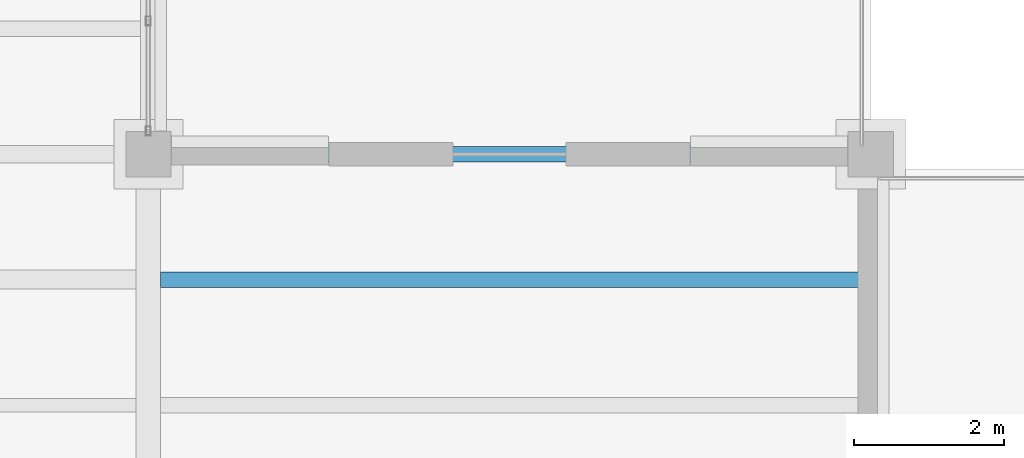
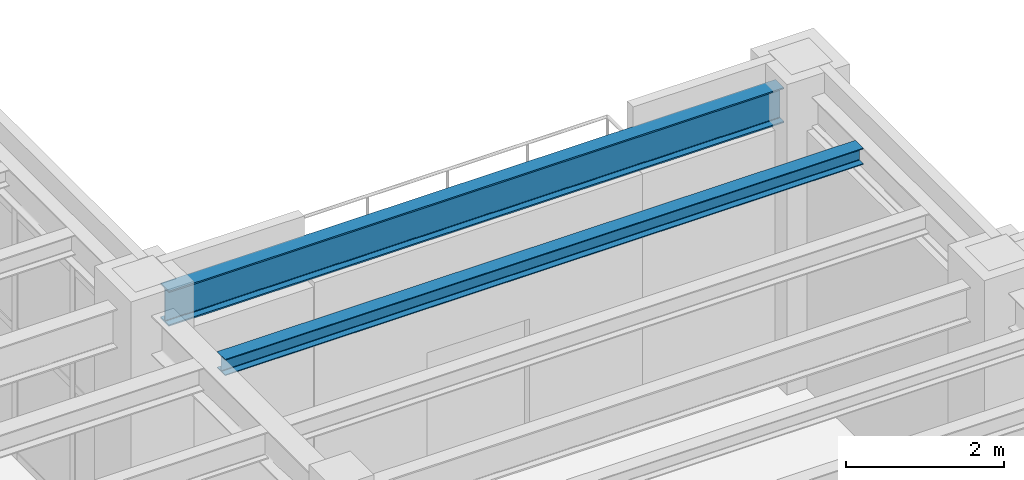
# One storey, part 46 of 83: 2 beams.
"""IFC4 building model written with IfcOpenShell, lengths in metres."""

import ifcopenshell
import ifcopenshell.guid

model = None  # the IFC model being written
_history = None  # IfcOwnerHistory: only IFC2X3 demands one
_inside = {}  # id of a spatial element -> (the spatial element, [elements in it])
_under = {}  # id of a project, library or spatial element -> (it, [spatial elements below it])
_declared = {}  # id of a project -> (the project, [libraries it declares])
_typed = {}  # id of a type object -> (the type object, [elements of that type])
_made_of = {}  # id of a material, layer set ... -> (it, [elements and type objects made of it])


def new_model(schema):
    """Start an empty IFC model of exactly this schema.

    Asked for "IFC4X3", IfcOpenShell would pick the latest addendum, in which some entities
    have other attributes; the version numbers below select the first issue.
    IFC2X3 requires an IfcOwnerHistory on every rooted entity: one is made here for all.
    """
    global model, _history
    if schema == "IFC4X3":
        model = ifcopenshell.file(schema_version=(4, 3, 0, 0))
    else:
        model = ifcopenshell.file(schema=schema)
    _inside.clear()
    _under.clear()
    _declared.clear()
    _typed.clear()
    _made_of.clear()
    _history = None
    if model.schema == "IFC2X3":
        org = make("IfcOrganization", Name="unknown")
        user = make(
            "IfcPersonAndOrganization",
            ThePerson=make("IfcPerson", FamilyName="unknown"),
            TheOrganization=org,
        )
        app = make(
            "IfcApplication",
            ApplicationDeveloper=org,
            Version="unknown",
            ApplicationFullName="unknown",
            ApplicationIdentifier="unknown",
        )
        _history = make(
            "IfcOwnerHistory",
            OwningUser=user,
            OwningApplication=app,
            ChangeAction="ADDED",
            CreationDate=0,
        )
    return model


def make(cls, **values):
    """One entity of the class cls with the attributes given. An attribute that is None is left unset."""
    return model.create_entity(
        cls, **{name: value for name, value in values.items() if value is not None}
    )


def rooted(cls, **values):
    """An entity with a GlobalId (a new one), such as an element, a storey or a relation."""
    return make(cls, GlobalId=ifcopenshell.guid.new(), OwnerHistory=_history, **values)


def si_unit(unit_type, name, prefix=None):
    """IfcSIUnit, for example si_unit("LENGTHUNIT", "METRE", prefix="MILLI")."""
    return make("IfcSIUnit", UnitType=unit_type, Prefix=prefix, Name=name)


def assignment(units):
    """IfcUnitAssignment: the units of a project."""
    return None if units is None else make("IfcUnitAssignment", Units=units)


def point(xyz):
    """IfcCartesianPoint."""
    return None if xyz is None else make("IfcCartesianPoint", Coordinates=xyz)


def direction(xyz):
    """IfcDirection."""
    return None if xyz is None else make("IfcDirection", DirectionRatios=xyz)


def frame(location, z_axis=None, x_axis=None):
    """IfcAxis2Placement3D, a coordinate frame: its origin and axes. An axis left out is left unset."""
    return make(
        "IfcAxis2Placement3D",
        Location=point(location),
        Axis=direction(z_axis),
        RefDirection=direction(x_axis),
    )


def frame_2d(location, x_axis=None):
    """IfcAxis2Placement2D, a coordinate frame in the plane: its origin and x axis."""
    return make(
        "IfcAxis2Placement2D", Location=point(location), RefDirection=direction(x_axis)
    )


def origin():
    """The frame at (0, 0, 0) with its axes left unset."""
    return frame((0.0, 0.0, 0.0))


def origin_2d():
    """The frame at (0, 0) in the plane with its x axis left unset."""
    return frame_2d((0.0, 0.0))


def place(relative_to, where):
    """IfcLocalPlacement: puts the frame where relative to a parent placement (None: the world)."""
    return make(
        "IfcLocalPlacement", PlacementRelTo=relative_to, RelativePlacement=where
    )


def context(
    kind, dimensions, precision=None, world=None, true_north=None, identifier=None
):
    """IfcGeometricRepresentationContext, for example the 3D "Model" context."""
    return make(
        "IfcGeometricRepresentationContext",
        ContextIdentifier=identifier,
        ContextType=kind,
        CoordinateSpaceDimension=dimensions,
        Precision=precision,
        WorldCoordinateSystem=world,
        TrueNorth=true_north,
    )


def subcontext(parent, identifier, kind, view, scale=None):
    """IfcGeometricRepresentationSubContext, for example "Body" below "Model"."""
    return make(
        "IfcGeometricRepresentationSubContext",
        ContextIdentifier=identifier,
        ContextType=kind,
        ParentContext=parent,
        TargetScale=scale,
        TargetView=view,
    )


def project(units=None, contexts=None):
    """IfcProject with its units and contexts."""
    return rooted(
        "IfcProject",
        Name="project",
        RepresentationContexts=contexts,
        UnitsInContext=assignment(units),
    )


def spatial(cls, under=None, at=None, **own):
    """A site, building, storey or space (cls), placed at a placement, below another one or the project."""
    s = rooted(cls, ObjectPlacement=at, **own)
    if under is not None:
        _under.setdefault(under.id(), (under, []))[1].append(s)
    return s


def profile(cls, at=None, kind="AREA", **sizes):
    """A parametric profile (cls). Its sizes go by their IFC names, for example OverallWidth=200.0."""
    return make(cls, ProfileType=kind, Position=at, **sizes)


def i_section(**sizes):
    """IfcIShapeProfileDef."""
    return profile("IfcIShapeProfileDef", **sizes)


def extrude(swept, where, along, depth):
    """IfcExtrudedAreaSolid: the profile swept, set in the frame where, extruded along a direction by depth."""
    return make(
        "IfcExtrudedAreaSolid",
        SweptArea=swept,
        Position=where,
        ExtrudedDirection=direction(along),
        Depth=depth,
    )


def shape(context_of_items, identifier, shape_type, items):
    """IfcShapeRepresentation: the items that make up one representation, for example the "Body"."""
    return make(
        "IfcShapeRepresentation",
        ContextOfItems=context_of_items,
        RepresentationIdentifier=identifier,
        RepresentationType=shape_type,
        Items=items,
    )


def material(Name=None, Category=None):
    """IfcMaterial."""
    return make("IfcMaterial", Name=Name, Category=Category)


def material_profile(
    of_material, cross_section, Name=None, Category=None, Priority=None
):
    """IfcMaterialProfile: a cross section and its material."""
    return make(
        "IfcMaterialProfile",
        Name=Name,
        Material=of_material,
        Profile=cross_section,
        Priority=Priority,
        Category=Category,
    )


def profile_set(profiles, Name=None, composite=None):
    """IfcMaterialProfileSet."""
    return make(
        "IfcMaterialProfileSet",
        Name=Name,
        MaterialProfiles=profiles,
        CompositeProfile=composite,
    )


def made_of(thing, what):
    """Note that an element or type object is made of a material, layer set ...; save() writes the relation."""
    if what is not None:
        _made_of.setdefault(what.id(), (what, []))[1].append(thing)
    return thing


def type_object(cls, material=None, **own):
    """A type object (cls), such as IfcWallType, which elements share."""
    return made_of(rooted(cls, **own), material)


def element(
    cls,
    number,
    at=None,
    inside=None,
    cuts=None,
    type_object=None,
    material=None,
    context=None,
    identifier="Body",
    shape_type=None,
    held_by="IfcProductDefinitionShape",
    body=None,
    shapes=None,
    **own,
):
    """One element of the class cls, such as IfcWall. Its Tag is "e" and its number.

    at: its placement. inside: the storey or other place that contains it. cuts: it is an
    opening in that element (IfcRelVoidsElement). A single representation is given by context,
    identifier, shape_type and body (its items); several are given by shapes. held_by: the class
    of the entity that holds the representations. save() writes the other relations.
    """
    e = rooted(cls, Tag="e%d" % number, ObjectPlacement=at, **own)
    if body is not None:
        shapes = [shape(context, identifier, shape_type, body)]
    if shapes is not None:
        e.Representation = make(held_by, Representations=shapes)
    if inside is not None:
        _inside.setdefault(inside.id(), (inside, []))[1].append(e)
    if cuts is not None:
        rooted(
            "IfcRelVoidsElement", RelatingBuildingElement=cuts, RelatedOpeningElement=e
        )
    if type_object is not None:
        _typed.setdefault(type_object.id(), (type_object, []))[1].append(e)
    return made_of(e, material)


def aggregate(whole, parts):
    """IfcRelAggregates: a whole, such as a stair, and the parts it consists of."""
    return rooted("IfcRelAggregates", RelatingObject=whole, RelatedObjects=parts)


def save(model, path):
    """Write the relations noted so far, then the file.

    IfcRelAggregates (storeys below a building ...), IfcRelContainedInSpatialStructure (elements
    in a storey), IfcRelDefinesByType, IfcRelAssociatesMaterial and IfcRelDeclares: one each for
    every whole, place, type object, material and project.
    """
    for whole, parts in _under.values():
        aggregate(whole, parts)
    for where, things in _inside.values():
        rooted(
            "IfcRelContainedInSpatialStructure",
            RelatedElements=things,
            RelatingStructure=where,
        )
    for kind, things in _typed.values():
        rooted("IfcRelDefinesByType", RelatedObjects=things, RelatingType=kind)
    for what, things in _made_of.values():
        rooted("IfcRelAssociatesMaterial", RelatedObjects=things, RelatingMaterial=what)
    for by, libraries in _declared.values():
        rooted("IfcRelDeclares", RelatingContext=by, RelatedDefinitions=libraries)
    model.write(path)


model = new_model("IFC4")

# Units and contexts
model_context = context("Model", 3, precision=1e-05, world=origin(), true_north=direction((0.0, 1.0)))
body_context = subcontext(model_context, "Body", "Model", "MODEL_VIEW")
ifc_project = project(units=[si_unit("LENGTHUNIT", "METRE"), si_unit("AREAUNIT", "SQUARE_METRE"), si_unit("VOLUMEUNIT", "CUBIC_METRE"), si_unit("PLANEANGLEUNIT", "RADIAN"), si_unit("MASSUNIT", "GRAM", prefix="KILO")], contexts=[model_context])

# Site, building, storey
site_placement = place(None, origin())
site = spatial("IfcSite", under=ifc_project, at=site_placement, CompositionType="ELEMENT")
building_placement = place(site_placement, origin())
building = spatial("IfcBuilding", under=site, at=building_placement, Name="Mavantir Sound Aquarium", CompositionType="ELEMENT")
storey_placement = place(building_placement, frame((0.0, 0.0, 10.5)))
storey = spatial("IfcBuildingStorey", under=building, at=storey_placement, Name="L02", CompositionType="ELEMENT", Elevation=10.5)

# Beams
ifc_material = material(Name="Structural Steel ASTM A992 Gr50", Category="steel")
ifc_material_profile_1 = material_profile(ifc_material, i_section(OverallWidth=0.202880859375, OverallDepth=0.251953125, WebThickness=0.008056640625, FlangeThickness=0.013427734375, FilletRadius=0.011962890625, at=origin_2d()), Name="W250X58")
ifc_profile_set_1 = profile_set([ifc_material_profile_1], Name="Structural Steel ASTM A992 Gr50")
beam_type_1 = type_object("IfcBeamType", Name="BM-W250X58-I", PredefinedType="JOIST", material=ifc_profile_set_1)
beam_1_placement = place(storey_placement, frame((156.162109375, 64.13330078125, 4.360107421875), z_axis=(1.0, 0.0, 0.0), x_axis=(0.0, 1.0, 0.0)))
element("IfcBeam", 1, at=beam_1_placement, inside=storey, type_object=beam_type_1, Name="L02 secondary floor joist SJ-25 940", PredefinedType="JOIST", context=body_context, shape_type="SweptSolid", body=[
    extrude(i_section(OverallWidth=0.202880859375, OverallDepth=0.251953125, WebThickness=0.008056640625, FlangeThickness=0.013427734375, FilletRadius=0.011962890625, at=origin_2d()), origin(), (0.0, 0.0, 1.0), 9.3408203125),
])
ifc_material_profile_2 = material_profile(ifc_material, i_section(OverallWidth=0.2119140625, OverallDepth=0.5439453125, WebThickness=0.01318359375, FlangeThickness=0.021240234375, FilletRadius=0.01806640625, at=origin_2d()), Name="W530X123")
ifc_profile_set_2 = profile_set([ifc_material_profile_2], Name="Structural Steel ASTM A992 Gr50")
beam_type_2 = type_object("IfcBeamType", Name="BM-W530X123-I", PredefinedType="BEAM", material=ifc_profile_set_2)
beam_2_placement = place(storey_placement, frame((156.300048828125, 65.800048828125, 4.214111328125), z_axis=(1.0, 0.0, 0.0), x_axis=(0.0, 1.0, 0.0)))
element("IfcBeam", 2, at=beam_2_placement, inside=storey, type_object=beam_type_2, Name="L02 primary beam SB-53 1542", PredefinedType="BEAM", context=body_context, shape_type="SweptSolid", body=[
    extrude(i_section(OverallWidth=0.2119140625, OverallDepth=0.5439453125, WebThickness=0.01318359375, FlangeThickness=0.021240234375, FilletRadius=0.01806640625, at=origin_2d()), origin(), (0.0, 0.0, 1.0), 9.0),
])

save(model, "model.ifc")
